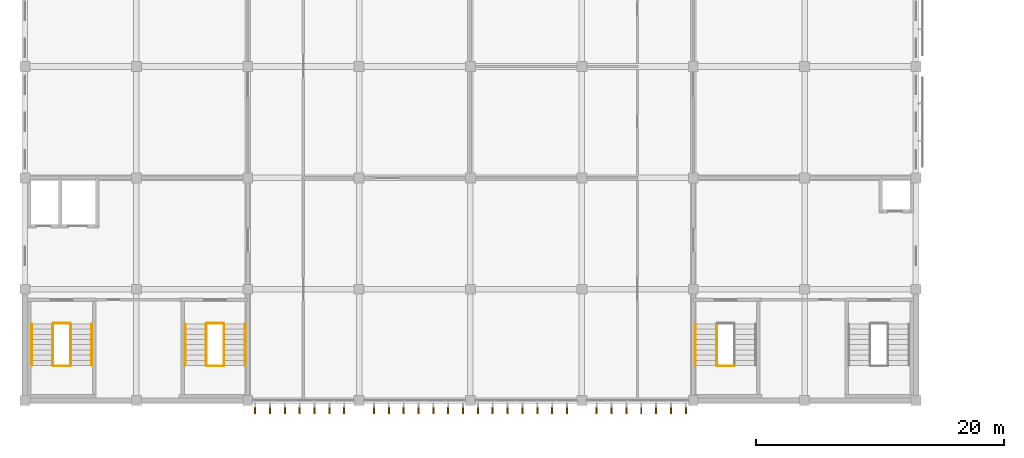
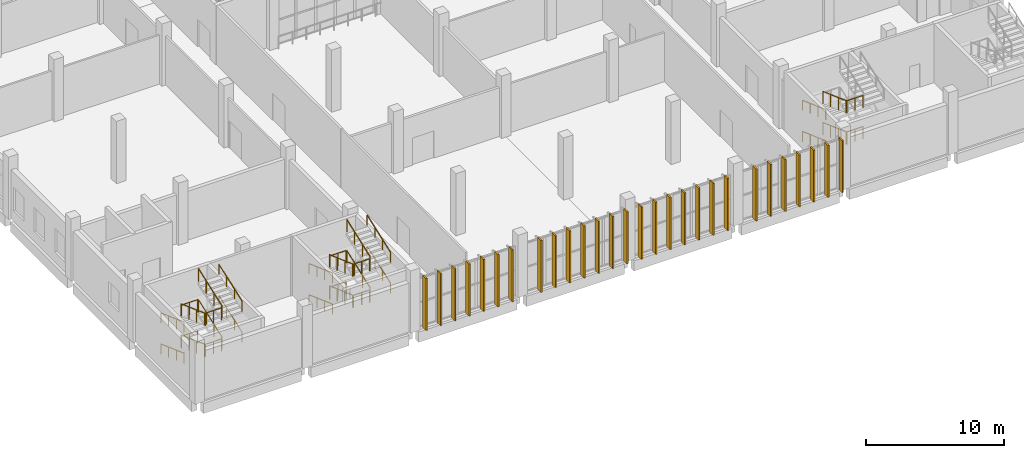
# One storey, part 164 of 185: 30 railings, 28 coverings.
"""IFC4 building model written with IfcOpenShell, lengths in metres."""

from ifc_helpers import new_model, si_unit, direction, frame, origin, origin_2d, place, context, subcontext, project, spatial, rectangle, circle, extrude, material, layer, layer_set, constituent, constituent_set, type_object, element, save


model = new_model("IFC4")

# Units and contexts
model_context = context("Model", 3, precision=1e-05, world=origin(), true_north=direction((0.0, 1.0)))
body_context = subcontext(model_context, "Body", "Model", "MODEL_VIEW")
ifc_project = project(units=[si_unit("LENGTHUNIT", "METRE"), si_unit("AREAUNIT", "SQUARE_METRE"), si_unit("VOLUMEUNIT", "CUBIC_METRE"), si_unit("PLANEANGLEUNIT", "RADIAN"), si_unit("MASSUNIT", "GRAM", prefix="KILO")], contexts=[model_context])

# Site, building, storey
site_placement = place(None, origin())
site = spatial("IfcSite", under=ifc_project, at=site_placement, CompositionType="ELEMENT")
building_placement = place(site_placement, origin())
building = spatial("IfcBuilding", under=site, at=building_placement, Name="Opaline Strait Convention Centre", CompositionType="ELEMENT")
storey_placement = place(building_placement, frame((0.0, 0.0, 6.0)))
storey = spatial("IfcBuildingStorey", under=building, at=storey_placement, Name="L01", CompositionType="ELEMENT", Elevation=6.0)

# Railings
ifc_material_1 = material(Name="Steel Q235B", Category="steel")
ifc_constituent_1 = constituent(ifc_material_1, Name="Frame")
ifc_material_2 = material(Name="Safety glass, bonded interlayer", Category="glass")
ifc_constituent_2 = constituent(ifc_material_2, Name="Infill")
ifc_constituent_set = constituent_set(constituents=[ifc_constituent_1, ifc_constituent_2], Name="Steel Q235B, Safety glass, bonded interlayer")
railing_type_1 = type_object("IfcRailingType", Name="Stair guard 1100 Q235B and glass", PredefinedType="GUARDRAIL", material=ifc_constituent_set)
railing_1_placement = place(storey_placement, frame((11.25, 15.199951171875, 0.15283203125)))
element("IfcRailing", 1, at=railing_1_placement, inside=storey, type_object=railing_type_1, Name="L01 SWA stair guard 1", PredefinedType="GUARDRAIL", context=body_context, shape_type="SweptSolid", body=[
    extrude(circle(Radius=0.02392578125, at=origin_2d()), frame((0.0, 0.0, 1.076171875), z_axis=(0.0, -0.93975753056, 0.341841752506), x_axis=(1.0, 0.0, 0.0)), (0.0, 0.0, 1.0), 3.5751953125),
    extrude(circle(Radius=0.02099609375, at=origin_2d()), origin(), (0.0, 0.0, 1.0), 1.052001953125),
    extrude(circle(Radius=0.02099609375, at=origin_2d()), frame((0.0, -1.119873046875, 0.407470703125)), (0.0, 0.0, 1.0), 1.052001953125),
    extrude(circle(Radius=0.02099609375, at=origin_2d()), frame((0.0, -2.239990234375, 0.814697265625)), (0.0, 0.0, 1.0), 1.052001953125),
    extrude(circle(Radius=0.02099609375, at=origin_2d()), frame((0.0, -3.35986328125, 1.22216796875)), (0.0, 0.0, 1.0), 1.052001953125),
])
railing_2_placement = place(storey_placement, frame((11.300048828125, 11.7900390625, 1.375)))
element("IfcRailing", 2, at=railing_2_placement, inside=storey, type_object=railing_type_1, Name="L01 SWA stair guard 2", PredefinedType="GUARDRAIL", context=body_context, shape_type="SweptSolid", body=[
    extrude(circle(Radius=0.02392578125, at=origin_2d()), frame((0.0, 0.0, 1.076171875), z_axis=(1.0, 0.0, 0.0), x_axis=(0.0, 1.0, 0.0)), (0.0, 0.0, 1.0), 1.349853515625),
    extrude(circle(Radius=0.02099609375, at=origin_2d()), origin(), (0.0, 0.0, 1.0), 1.052001953125),
    extrude(circle(Radius=0.02099609375, at=origin_2d()), frame((0.6748046875, 0.0, 0.0)), (0.0, 0.0, 1.0), 1.052001953125),
    extrude(circle(Radius=0.02099609375, at=origin_2d()), frame((1.349853515625, 0.0, 0.0)), (0.0, 0.0, 1.0), 1.052001953125),
])
railing_3_placement = place(storey_placement, frame((12.699951171875, 11.840087890625, 1.52783203125)))
element("IfcRailing", 3, at=railing_3_placement, inside=storey, type_object=railing_type_1, Name="L01 SWA stair guard 3", PredefinedType="GUARDRAIL", context=body_context, shape_type="SweptSolid", body=[
    extrude(circle(Radius=0.02392578125, at=origin_2d()), frame((0.0, 0.0, 1.076171875), z_axis=(0.0, 0.93975753056, 0.341841752506), x_axis=(-1.0, 0.0, 0.0)), (0.0, 0.0, 1.0), 3.5751953125),
    extrude(circle(Radius=0.02099609375, at=origin_2d()), origin(), (0.0, 0.0, 1.0), 1.052001953125),
    extrude(circle(Radius=0.02099609375, at=origin_2d()), frame((0.0, 1.119873046875, 0.407470703125)), (0.0, 0.0, 1.0), 1.052001953125),
    extrude(circle(Radius=0.02099609375, at=origin_2d()), frame((0.0, 2.239990234375, 0.814697265625)), (0.0, 0.0, 1.0), 1.052001953125),
    extrude(circle(Radius=0.02099609375, at=origin_2d()), frame((0.0, 3.35986328125, 1.22216796875)), (0.0, 0.0, 1.0), 1.052001953125),
])
railing_4_placement = place(storey_placement, frame((11.300048828125, 15.25, 2.75)))
element("IfcRailing", 4, at=railing_4_placement, inside=storey, type_object=railing_type_1, Name="L01 SWA stair guard 4", PredefinedType="GUARDRAIL", context=body_context, shape_type="SweptSolid", body=[
    extrude(circle(Radius=0.02392578125, at=origin_2d()), frame((0.0, 0.0, 1.076171875), z_axis=(1.0, 0.0, 0.0), x_axis=(0.0, 1.0, 0.0)), (0.0, 0.0, 1.0), 1.349853515625),
    extrude(circle(Radius=0.02099609375, at=origin_2d()), origin(), (0.0, 0.0, 1.0), 1.052001953125),
    extrude(circle(Radius=0.02099609375, at=origin_2d()), frame((0.6748046875, 0.0, 0.0)), (0.0, 0.0, 1.0), 1.052001953125),
    extrude(circle(Radius=0.02099609375, at=origin_2d()), frame((1.349853515625, 0.0, 0.0)), (0.0, 0.0, 1.0), 1.052001953125),
])
railing_5_placement = place(storey_placement, frame((11.25, 15.199951171875, 2.90283203125)))
element("IfcRailing", 5, at=railing_5_placement, inside=storey, type_object=railing_type_1, Name="L01 SWA stair guard 5", PredefinedType="GUARDRAIL", context=body_context, shape_type="SweptSolid", body=[
    extrude(circle(Radius=0.02392578125, at=origin_2d()), frame((0.0, 0.0, 1.076171875), z_axis=(0.0, -0.93975753056, 0.341841752506), x_axis=(1.0, 0.0, 0.0)), (0.0, 0.0, 1.0), 3.5751953125),
    extrude(circle(Radius=0.02099609375, at=origin_2d()), origin(), (0.0, 0.0, 1.0), 1.052001953125),
    extrude(circle(Radius=0.02099609375, at=origin_2d()), frame((0.0, -1.119873046875, 0.407470703125)), (0.0, 0.0, 1.0), 1.052001953125),
    extrude(circle(Radius=0.02099609375, at=origin_2d()), frame((0.0, -2.239990234375, 0.814697265625)), (0.0, 0.0, 1.0), 1.052001953125),
    extrude(circle(Radius=0.02099609375, at=origin_2d()), frame((0.0, -3.35986328125, 1.22216796875)), (0.0, 0.0, 1.0), 1.052001953125),
])
railing_6_placement = place(storey_placement, frame((11.300048828125, 11.7900390625, 4.125)))
element("IfcRailing", 6, at=railing_6_placement, inside=storey, type_object=railing_type_1, Name="L01 SWA stair guard 6", PredefinedType="GUARDRAIL", context=body_context, shape_type="SweptSolid", body=[
    extrude(circle(Radius=0.02392578125, at=origin_2d()), frame((0.0, 0.0, 1.076171875), z_axis=(1.0, 0.0, 0.0), x_axis=(0.0, 1.0, 0.0)), (0.0, 0.0, 1.0), 1.349853515625),
    extrude(circle(Radius=0.02099609375, at=origin_2d()), origin(), (0.0, 0.0, 1.0), 1.052001953125),
    extrude(circle(Radius=0.02099609375, at=origin_2d()), frame((0.6748046875, 0.0, 0.0)), (0.0, 0.0, 1.0), 1.052001953125),
    extrude(circle(Radius=0.02099609375, at=origin_2d()), frame((1.349853515625, 0.0, 0.0)), (0.0, 0.0, 1.0), 1.052001953125),
])
railing_7_placement = place(storey_placement, frame((12.699951171875, 11.840087890625, 4.27783203125)))
element("IfcRailing", 7, at=railing_7_placement, inside=storey, type_object=railing_type_1, Name="L01 SWA stair guard 7", PredefinedType="GUARDRAIL", context=body_context, shape_type="SweptSolid", body=[
    extrude(circle(Radius=0.02392578125, at=origin_2d()), frame((0.0, 0.0, 1.076171875), z_axis=(0.0, 0.93975753056, 0.341841752506), x_axis=(-1.0, 0.0, 0.0)), (0.0, 0.0, 1.0), 3.5751953125),
    extrude(circle(Radius=0.02099609375, at=origin_2d()), origin(), (0.0, 0.0, 1.0), 1.052001953125),
    extrude(circle(Radius=0.02099609375, at=origin_2d()), frame((0.0, 1.119873046875, 0.407470703125)), (0.0, 0.0, 1.0), 1.052001953125),
    extrude(circle(Radius=0.02099609375, at=origin_2d()), frame((0.0, 2.239990234375, 0.814697265625)), (0.0, 0.0, 1.0), 1.052001953125),
    extrude(circle(Radius=0.02099609375, at=origin_2d()), frame((0.0, 3.35986328125, 1.22216796875)), (0.0, 0.0, 1.0), 1.052001953125),
])
railing_8_placement = place(storey_placement, frame((11.300048828125, 15.25, 0.0)))
element("IfcRailing", 8, at=railing_8_placement, inside=storey, type_object=railing_type_1, Name="L01 SWA stair guard 8", PredefinedType="GUARDRAIL", context=body_context, shape_type="SweptSolid", body=[
    extrude(circle(Radius=0.02392578125, at=origin_2d()), frame((0.0, 0.0, 1.076171875), z_axis=(1.0, 0.0, 0.0), x_axis=(0.0, 1.0, 0.0)), (0.0, 0.0, 1.0), 1.349853515625),
    extrude(circle(Radius=0.02099609375, at=origin_2d()), origin(), (0.0, 0.0, 1.0), 1.052001953125),
    extrude(circle(Radius=0.02099609375, at=origin_2d()), frame((0.6748046875, 0.0, 0.0)), (0.0, 0.0, 1.0), 1.052001953125),
    extrude(circle(Radius=0.02099609375, at=origin_2d()), frame((1.349853515625, 0.0, 0.0)), (0.0, 0.0, 1.0), 1.052001953125),
])
railing_9_placement = place(storey_placement, frame((23.64990234375, 15.199951171875, 0.15283203125)))
element("IfcRailing", 9, at=railing_9_placement, inside=storey, type_object=railing_type_1, Name="L01 SWB stair guard 1", PredefinedType="GUARDRAIL", context=body_context, shape_type="SweptSolid", body=[
    extrude(circle(Radius=0.02392578125, at=origin_2d()), frame((0.0, 0.0, 1.076171875), z_axis=(0.0, -0.93975753056, 0.341841752506), x_axis=(1.0, 0.0, 0.0)), (0.0, 0.0, 1.0), 3.5751953125),
    extrude(circle(Radius=0.02099609375, at=origin_2d()), origin(), (0.0, 0.0, 1.0), 1.052001953125),
    extrude(circle(Radius=0.02099609375, at=origin_2d()), frame((0.0, -1.119873046875, 0.407470703125)), (0.0, 0.0, 1.0), 1.052001953125),
    extrude(circle(Radius=0.02099609375, at=origin_2d()), frame((0.0, -2.239990234375, 0.814697265625)), (0.0, 0.0, 1.0), 1.052001953125),
    extrude(circle(Radius=0.02099609375, at=origin_2d()), frame((0.0, -3.35986328125, 1.22216796875)), (0.0, 0.0, 1.0), 1.052001953125),
])
railing_10_placement = place(storey_placement, frame((23.699951171875, 11.7900390625, 1.375)))
element("IfcRailing", 10, at=railing_10_placement, inside=storey, type_object=railing_type_1, Name="L01 SWB stair guard 2", PredefinedType="GUARDRAIL", context=body_context, shape_type="SweptSolid", body=[
    extrude(circle(Radius=0.02392578125, at=origin_2d()), frame((0.0, 0.0, 1.076171875), z_axis=(1.0, 0.0, 0.0), x_axis=(0.0, 1.0, 0.0)), (0.0, 0.0, 1.0), 1.35009765625),
    extrude(circle(Radius=0.02099609375, at=origin_2d()), origin(), (0.0, 0.0, 1.0), 1.052001953125),
    extrude(circle(Radius=0.02099609375, at=origin_2d()), frame((0.675048828125, 0.0, 0.0)), (0.0, 0.0, 1.0), 1.052001953125),
    extrude(circle(Radius=0.02099609375, at=origin_2d()), frame((1.35009765625, 0.0, 0.0)), (0.0, 0.0, 1.0), 1.052001953125),
])
railing_11_placement = place(storey_placement, frame((25.10009765625, 11.840087890625, 1.52783203125)))
element("IfcRailing", 11, at=railing_11_placement, inside=storey, type_object=railing_type_1, Name="L01 SWB stair guard 3", PredefinedType="GUARDRAIL", context=body_context, shape_type="SweptSolid", body=[
    extrude(circle(Radius=0.02392578125, at=origin_2d()), frame((0.0, 0.0, 1.076171875), z_axis=(0.0, 0.93975753056, 0.341841752506), x_axis=(-1.0, 0.0, 0.0)), (0.0, 0.0, 1.0), 3.5751953125),
    extrude(circle(Radius=0.02099609375, at=origin_2d()), origin(), (0.0, 0.0, 1.0), 1.052001953125),
    extrude(circle(Radius=0.02099609375, at=origin_2d()), frame((0.0, 1.119873046875, 0.407470703125)), (0.0, 0.0, 1.0), 1.052001953125),
    extrude(circle(Radius=0.02099609375, at=origin_2d()), frame((0.0, 2.239990234375, 0.814697265625)), (0.0, 0.0, 1.0), 1.052001953125),
    extrude(circle(Radius=0.02099609375, at=origin_2d()), frame((0.0, 3.35986328125, 1.22216796875)), (0.0, 0.0, 1.0), 1.052001953125),
])
railing_12_placement = place(storey_placement, frame((23.699951171875, 15.25, 2.75)))
element("IfcRailing", 12, at=railing_12_placement, inside=storey, type_object=railing_type_1, Name="L01 SWB stair guard 4", PredefinedType="GUARDRAIL", context=body_context, shape_type="SweptSolid", body=[
    extrude(circle(Radius=0.02392578125, at=origin_2d()), frame((0.0, 0.0, 1.076171875), z_axis=(1.0, 0.0, 0.0), x_axis=(0.0, 1.0, 0.0)), (0.0, 0.0, 1.0), 1.35009765625),
    extrude(circle(Radius=0.02099609375, at=origin_2d()), origin(), (0.0, 0.0, 1.0), 1.052001953125),
    extrude(circle(Radius=0.02099609375, at=origin_2d()), frame((0.675048828125, 0.0, 0.0)), (0.0, 0.0, 1.0), 1.052001953125),
    extrude(circle(Radius=0.02099609375, at=origin_2d()), frame((1.35009765625, 0.0, 0.0)), (0.0, 0.0, 1.0), 1.052001953125),
])
railing_13_placement = place(storey_placement, frame((23.64990234375, 15.199951171875, 2.90283203125)))
element("IfcRailing", 13, at=railing_13_placement, inside=storey, type_object=railing_type_1, Name="L01 SWB stair guard 5", PredefinedType="GUARDRAIL", context=body_context, shape_type="SweptSolid", body=[
    extrude(circle(Radius=0.02392578125, at=origin_2d()), frame((0.0, 0.0, 1.076171875), z_axis=(0.0, -0.93975753056, 0.341841752506), x_axis=(1.0, 0.0, 0.0)), (0.0, 0.0, 1.0), 3.5751953125),
    extrude(circle(Radius=0.02099609375, at=origin_2d()), origin(), (0.0, 0.0, 1.0), 1.052001953125),
    extrude(circle(Radius=0.02099609375, at=origin_2d()), frame((0.0, -1.119873046875, 0.407470703125)), (0.0, 0.0, 1.0), 1.052001953125),
    extrude(circle(Radius=0.02099609375, at=origin_2d()), frame((0.0, -2.239990234375, 0.814697265625)), (0.0, 0.0, 1.0), 1.052001953125),
    extrude(circle(Radius=0.02099609375, at=origin_2d()), frame((0.0, -3.35986328125, 1.22216796875)), (0.0, 0.0, 1.0), 1.052001953125),
])
railing_14_placement = place(storey_placement, frame((23.699951171875, 11.7900390625, 4.125)))
element("IfcRailing", 14, at=railing_14_placement, inside=storey, type_object=railing_type_1, Name="L01 SWB stair guard 6", PredefinedType="GUARDRAIL", context=body_context, shape_type="SweptSolid", body=[
    extrude(circle(Radius=0.02392578125, at=origin_2d()), frame((0.0, 0.0, 1.076171875), z_axis=(1.0, 0.0, 0.0), x_axis=(0.0, 1.0, 0.0)), (0.0, 0.0, 1.0), 1.35009765625),
    extrude(circle(Radius=0.02099609375, at=origin_2d()), origin(), (0.0, 0.0, 1.0), 1.052001953125),
    extrude(circle(Radius=0.02099609375, at=origin_2d()), frame((0.675048828125, 0.0, 0.0)), (0.0, 0.0, 1.0), 1.052001953125),
    extrude(circle(Radius=0.02099609375, at=origin_2d()), frame((1.35009765625, 0.0, 0.0)), (0.0, 0.0, 1.0), 1.052001953125),
])
railing_15_placement = place(storey_placement, frame((25.10009765625, 11.840087890625, 4.27783203125)))
element("IfcRailing", 15, at=railing_15_placement, inside=storey, type_object=railing_type_1, Name="L01 SWB stair guard 7", PredefinedType="GUARDRAIL", context=body_context, shape_type="SweptSolid", body=[
    extrude(circle(Radius=0.02392578125, at=origin_2d()), frame((0.0, 0.0, 1.076171875), z_axis=(0.0, 0.93975753056, 0.341841752506), x_axis=(-1.0, 0.0, 0.0)), (0.0, 0.0, 1.0), 3.5751953125),
    extrude(circle(Radius=0.02099609375, at=origin_2d()), origin(), (0.0, 0.0, 1.0), 1.052001953125),
    extrude(circle(Radius=0.02099609375, at=origin_2d()), frame((0.0, 1.119873046875, 0.407470703125)), (0.0, 0.0, 1.0), 1.052001953125),
    extrude(circle(Radius=0.02099609375, at=origin_2d()), frame((0.0, 2.239990234375, 0.814697265625)), (0.0, 0.0, 1.0), 1.052001953125),
    extrude(circle(Radius=0.02099609375, at=origin_2d()), frame((0.0, 3.35986328125, 1.22216796875)), (0.0, 0.0, 1.0), 1.052001953125),
])
railing_16_placement = place(storey_placement, frame((23.699951171875, 15.25, 0.0)))
element("IfcRailing", 16, at=railing_16_placement, inside=storey, type_object=railing_type_1, Name="L01 SWB stair guard 8", PredefinedType="GUARDRAIL", context=body_context, shape_type="SweptSolid", body=[
    extrude(circle(Radius=0.02392578125, at=origin_2d()), frame((0.0, 0.0, 1.076171875), z_axis=(1.0, 0.0, 0.0), x_axis=(0.0, 1.0, 0.0)), (0.0, 0.0, 1.0), 1.35009765625),
    extrude(circle(Radius=0.02099609375, at=origin_2d()), origin(), (0.0, 0.0, 1.0), 1.052001953125),
    extrude(circle(Radius=0.02099609375, at=origin_2d()), frame((0.675048828125, 0.0, 0.0)), (0.0, 0.0, 1.0), 1.052001953125),
    extrude(circle(Radius=0.02099609375, at=origin_2d()), frame((1.35009765625, 0.0, 0.0)), (0.0, 0.0, 1.0), 1.052001953125),
])
railing_17_placement = place(storey_placement, frame((64.89990234375, 15.199951171875, 0.15283203125)))
element("IfcRailing", 17, at=railing_17_placement, inside=storey, type_object=railing_type_1, Name="L01 SEB stair guard 1", PredefinedType="GUARDRAIL", context=body_context, shape_type="SweptSolid", body=[
    extrude(circle(Radius=0.02392578125, at=origin_2d()), frame((0.0, 0.0, 1.076171875), z_axis=(0.0, -0.93975753056, 0.341841752506), x_axis=(1.0, 0.0, 0.0)), (0.0, 0.0, 1.0), 3.5751953125),
    extrude(circle(Radius=0.02099609375, at=origin_2d()), origin(), (0.0, 0.0, 1.0), 1.052001953125),
    extrude(circle(Radius=0.02099609375, at=origin_2d()), frame((0.0, -1.119873046875, 0.407470703125)), (0.0, 0.0, 1.0), 1.052001953125),
    extrude(circle(Radius=0.02099609375, at=origin_2d()), frame((0.0, -2.239990234375, 0.814697265625)), (0.0, 0.0, 1.0), 1.052001953125),
    extrude(circle(Radius=0.02099609375, at=origin_2d()), frame((0.0, -3.35986328125, 1.22216796875)), (0.0, 0.0, 1.0), 1.052001953125),
])
railing_18_placement = place(storey_placement, frame((64.949951171875, 11.7900390625, 1.375)))
element("IfcRailing", 18, at=railing_18_placement, inside=storey, type_object=railing_type_1, Name="L01 SEB stair guard 2", PredefinedType="GUARDRAIL", context=body_context, shape_type="SweptSolid", body=[
    extrude(circle(Radius=0.02392578125, at=origin_2d()), frame((0.0, 0.0, 1.076171875), z_axis=(1.0, 0.0, 0.0), x_axis=(0.0, 1.0, 0.0)), (0.0, 0.0, 1.0), 1.35009765625),
    extrude(circle(Radius=0.02099609375, at=origin_2d()), origin(), (0.0, 0.0, 1.0), 1.052001953125),
    extrude(circle(Radius=0.02099609375, at=origin_2d()), frame((0.675048828125, 0.0, 0.0)), (0.0, 0.0, 1.0), 1.052001953125),
    extrude(circle(Radius=0.02099609375, at=origin_2d()), frame((1.35009765625, 0.0, 0.0)), (0.0, 0.0, 1.0), 1.052001953125),
])
railing_19_placement = place(storey_placement, frame((64.89990234375, 15.199951171875, 2.90283203125)))
element("IfcRailing", 19, at=railing_19_placement, inside=storey, type_object=railing_type_1, Name="L01 SEB stair guard 5", PredefinedType="GUARDRAIL", context=body_context, shape_type="SweptSolid", body=[
    extrude(circle(Radius=0.02392578125, at=origin_2d()), frame((0.0, 0.0, 1.076171875), z_axis=(0.0, -0.93975753056, 0.341841752506), x_axis=(1.0, 0.0, 0.0)), (0.0, 0.0, 1.0), 3.5751953125),
    extrude(circle(Radius=0.02099609375, at=origin_2d()), origin(), (0.0, 0.0, 1.0), 1.052001953125),
    extrude(circle(Radius=0.02099609375, at=origin_2d()), frame((0.0, -1.119873046875, 0.407470703125)), (0.0, 0.0, 1.0), 1.052001953125),
    extrude(circle(Radius=0.02099609375, at=origin_2d()), frame((0.0, -2.239990234375, 0.814697265625)), (0.0, 0.0, 1.0), 1.052001953125),
    extrude(circle(Radius=0.02099609375, at=origin_2d()), frame((0.0, -3.35986328125, 1.22216796875)), (0.0, 0.0, 1.0), 1.052001953125),
])
railing_20_placement = place(storey_placement, frame((64.949951171875, 11.7900390625, 4.125)))
element("IfcRailing", 20, at=railing_20_placement, inside=storey, type_object=railing_type_1, Name="L01 SEB stair guard 6", PredefinedType="GUARDRAIL", context=body_context, shape_type="SweptSolid", body=[
    extrude(circle(Radius=0.02392578125, at=origin_2d()), frame((0.0, 0.0, 1.076171875), z_axis=(1.0, 0.0, 0.0), x_axis=(0.0, 1.0, 0.0)), (0.0, 0.0, 1.0), 1.35009765625),
    extrude(circle(Radius=0.02099609375, at=origin_2d()), origin(), (0.0, 0.0, 1.0), 1.052001953125),
    extrude(circle(Radius=0.02099609375, at=origin_2d()), frame((0.675048828125, 0.0, 0.0)), (0.0, 0.0, 1.0), 1.052001953125),
    extrude(circle(Radius=0.02099609375, at=origin_2d()), frame((1.35009765625, 0.0, 0.0)), (0.0, 0.0, 1.0), 1.052001953125),
])
ifc_material_3 = material(Name="Stainless steel 304", Category="steel")
railing_type_2 = type_object("IfcRailingType", Name="Stair handrail 900 stainless 304", PredefinedType="HANDRAIL", material=ifc_material_3)
railing_21_placement = place(storey_placement, frame((9.550048828125, 15.199951171875, 0.15283203125)))
element("IfcRailing", 21, at=railing_21_placement, inside=storey, type_object=railing_type_2, Name="L01 SWA stair handrail 1", PredefinedType="HANDRAIL", context=body_context, shape_type="SweptSolid", body=[
    extrude(circle(Radius=0.02392578125, at=origin_2d()), frame((0.0, 0.0, 0.8759765625), z_axis=(0.0, -0.93975753056, 0.341841752506), x_axis=(1.0, 0.0, 0.0)), (0.0, 0.0, 1.0), 3.5751953125),
    extrude(circle(Radius=0.02099609375, at=origin_2d()), origin(), (0.0, 0.0, 1.0), 0.851806640625),
    extrude(circle(Radius=0.02099609375, at=origin_2d()), frame((0.0, -1.119873046875, 0.407470703125)), (0.0, 0.0, 1.0), 0.851806640625),
    extrude(circle(Radius=0.02099609375, at=origin_2d()), frame((0.0, -2.239990234375, 0.814697265625)), (0.0, 0.0, 1.0), 0.851806640625),
    extrude(circle(Radius=0.02099609375, at=origin_2d()), frame((0.0, -3.35986328125, 1.22216796875)), (0.0, 0.0, 1.0), 0.851806640625),
])
railing_22_placement = place(storey_placement, frame((14.39990234375, 11.840087890625, 1.52783203125)))
element("IfcRailing", 22, at=railing_22_placement, inside=storey, type_object=railing_type_2, Name="L01 SWA stair handrail 2", PredefinedType="HANDRAIL", context=body_context, shape_type="SweptSolid", body=[
    extrude(circle(Radius=0.02392578125, at=origin_2d()), frame((0.0, 0.0, 0.8759765625), z_axis=(0.0, 0.93975753056, 0.341841752506), x_axis=(-1.0, 0.0, 0.0)), (0.0, 0.0, 1.0), 3.5751953125),
    extrude(circle(Radius=0.02099609375, at=origin_2d()), origin(), (0.0, 0.0, 1.0), 0.851806640625),
    extrude(circle(Radius=0.02099609375, at=origin_2d()), frame((0.0, 1.119873046875, 0.407470703125)), (0.0, 0.0, 1.0), 0.851806640625),
    extrude(circle(Radius=0.02099609375, at=origin_2d()), frame((0.0, 2.239990234375, 0.814697265625)), (0.0, 0.0, 1.0), 0.851806640625),
    extrude(circle(Radius=0.02099609375, at=origin_2d()), frame((0.0, 3.35986328125, 1.22216796875)), (0.0, 0.0, 1.0), 0.851806640625),
])
railing_23_placement = place(storey_placement, frame((9.550048828125, 15.199951171875, 2.90283203125)))
element("IfcRailing", 23, at=railing_23_placement, inside=storey, type_object=railing_type_2, Name="L01 SWA stair handrail 3", PredefinedType="HANDRAIL", context=body_context, shape_type="SweptSolid", body=[
    extrude(circle(Radius=0.02392578125, at=origin_2d()), frame((0.0, 0.0, 0.8759765625), z_axis=(0.0, -0.93975753056, 0.341841752506), x_axis=(1.0, 0.0, 0.0)), (0.0, 0.0, 1.0), 3.5751953125),
    extrude(circle(Radius=0.02099609375, at=origin_2d()), origin(), (0.0, 0.0, 1.0), 0.851806640625),
    extrude(circle(Radius=0.02099609375, at=origin_2d()), frame((0.0, -1.119873046875, 0.407470703125)), (0.0, 0.0, 1.0), 0.851806640625),
    extrude(circle(Radius=0.02099609375, at=origin_2d()), frame((0.0, -2.239990234375, 0.814697265625)), (0.0, 0.0, 1.0), 0.851806640625),
    extrude(circle(Radius=0.02099609375, at=origin_2d()), frame((0.0, -3.35986328125, 1.22216796875)), (0.0, 0.0, 1.0), 0.851806640625),
])
railing_24_placement = place(storey_placement, frame((14.39990234375, 11.840087890625, 4.27783203125)))
element("IfcRailing", 24, at=railing_24_placement, inside=storey, type_object=railing_type_2, Name="L01 SWA stair handrail 4", PredefinedType="HANDRAIL", context=body_context, shape_type="SweptSolid", body=[
    extrude(circle(Radius=0.02392578125, at=origin_2d()), frame((0.0, 0.0, 0.8759765625), z_axis=(0.0, 0.93975753056, 0.341841752506), x_axis=(-1.0, 0.0, 0.0)), (0.0, 0.0, 1.0), 3.5751953125),
    extrude(circle(Radius=0.02099609375, at=origin_2d()), origin(), (0.0, 0.0, 1.0), 0.851806640625),
    extrude(circle(Radius=0.02099609375, at=origin_2d()), frame((0.0, 1.119873046875, 0.407470703125)), (0.0, 0.0, 1.0), 0.851806640625),
    extrude(circle(Radius=0.02099609375, at=origin_2d()), frame((0.0, 2.239990234375, 0.814697265625)), (0.0, 0.0, 1.0), 0.851806640625),
    extrude(circle(Radius=0.02099609375, at=origin_2d()), frame((0.0, 3.35986328125, 1.22216796875)), (0.0, 0.0, 1.0), 0.851806640625),
])
railing_25_placement = place(storey_placement, frame((21.949951171875, 15.199951171875, 0.15283203125)))
element("IfcRailing", 25, at=railing_25_placement, inside=storey, type_object=railing_type_2, Name="L01 SWB stair handrail 1", PredefinedType="HANDRAIL", context=body_context, shape_type="SweptSolid", body=[
    extrude(circle(Radius=0.02392578125, at=origin_2d()), frame((0.0, 0.0, 0.8759765625), z_axis=(0.0, -0.93975753056, 0.341841752506), x_axis=(1.0, 0.0, 0.0)), (0.0, 0.0, 1.0), 3.5751953125),
    extrude(circle(Radius=0.02099609375, at=origin_2d()), origin(), (0.0, 0.0, 1.0), 0.851806640625),
    extrude(circle(Radius=0.02099609375, at=origin_2d()), frame((0.0, -1.119873046875, 0.407470703125)), (0.0, 0.0, 1.0), 0.851806640625),
    extrude(circle(Radius=0.02099609375, at=origin_2d()), frame((0.0, -2.239990234375, 0.814697265625)), (0.0, 0.0, 1.0), 0.851806640625),
    extrude(circle(Radius=0.02099609375, at=origin_2d()), frame((0.0, -3.35986328125, 1.22216796875)), (0.0, 0.0, 1.0), 0.851806640625),
])
railing_26_placement = place(storey_placement, frame((26.800048828125, 11.840087890625, 1.52783203125)))
element("IfcRailing", 26, at=railing_26_placement, inside=storey, type_object=railing_type_2, Name="L01 SWB stair handrail 2", PredefinedType="HANDRAIL", context=body_context, shape_type="SweptSolid", body=[
    extrude(circle(Radius=0.02392578125, at=origin_2d()), frame((0.0, 0.0, 0.8759765625), z_axis=(0.0, 0.93975753056, 0.341841752506), x_axis=(-1.0, 0.0, 0.0)), (0.0, 0.0, 1.0), 3.5751953125),
    extrude(circle(Radius=0.02099609375, at=origin_2d()), origin(), (0.0, 0.0, 1.0), 0.851806640625),
    extrude(circle(Radius=0.02099609375, at=origin_2d()), frame((0.0, 1.119873046875, 0.407470703125)), (0.0, 0.0, 1.0), 0.851806640625),
    extrude(circle(Radius=0.02099609375, at=origin_2d()), frame((0.0, 2.239990234375, 0.814697265625)), (0.0, 0.0, 1.0), 0.851806640625),
    extrude(circle(Radius=0.02099609375, at=origin_2d()), frame((0.0, 3.35986328125, 1.22216796875)), (0.0, 0.0, 1.0), 0.851806640625),
])
railing_27_placement = place(storey_placement, frame((21.949951171875, 15.199951171875, 2.90283203125)))
element("IfcRailing", 27, at=railing_27_placement, inside=storey, type_object=railing_type_2, Name="L01 SWB stair handrail 3", PredefinedType="HANDRAIL", context=body_context, shape_type="SweptSolid", body=[
    extrude(circle(Radius=0.02392578125, at=origin_2d()), frame((0.0, 0.0, 0.8759765625), z_axis=(0.0, -0.93975753056, 0.341841752506), x_axis=(1.0, 0.0, 0.0)), (0.0, 0.0, 1.0), 3.5751953125),
    extrude(circle(Radius=0.02099609375, at=origin_2d()), origin(), (0.0, 0.0, 1.0), 0.851806640625),
    extrude(circle(Radius=0.02099609375, at=origin_2d()), frame((0.0, -1.119873046875, 0.407470703125)), (0.0, 0.0, 1.0), 0.851806640625),
    extrude(circle(Radius=0.02099609375, at=origin_2d()), frame((0.0, -2.239990234375, 0.814697265625)), (0.0, 0.0, 1.0), 0.851806640625),
    extrude(circle(Radius=0.02099609375, at=origin_2d()), frame((0.0, -3.35986328125, 1.22216796875)), (0.0, 0.0, 1.0), 0.851806640625),
])
railing_28_placement = place(storey_placement, frame((26.800048828125, 11.840087890625, 4.27783203125)))
element("IfcRailing", 28, at=railing_28_placement, inside=storey, type_object=railing_type_2, Name="L01 SWB stair handrail 4", PredefinedType="HANDRAIL", context=body_context, shape_type="SweptSolid", body=[
    extrude(circle(Radius=0.02392578125, at=origin_2d()), frame((0.0, 0.0, 0.8759765625), z_axis=(0.0, 0.93975753056, 0.341841752506), x_axis=(-1.0, 0.0, 0.0)), (0.0, 0.0, 1.0), 3.5751953125),
    extrude(circle(Radius=0.02099609375, at=origin_2d()), origin(), (0.0, 0.0, 1.0), 0.851806640625),
    extrude(circle(Radius=0.02099609375, at=origin_2d()), frame((0.0, 1.119873046875, 0.407470703125)), (0.0, 0.0, 1.0), 0.851806640625),
    extrude(circle(Radius=0.02099609375, at=origin_2d()), frame((0.0, 2.239990234375, 0.814697265625)), (0.0, 0.0, 1.0), 0.851806640625),
    extrude(circle(Radius=0.02099609375, at=origin_2d()), frame((0.0, 3.35986328125, 1.22216796875)), (0.0, 0.0, 1.0), 0.851806640625),
])
for number, where, name in (
    (29, (63.199951171875, 15.199951171875, 0.15283203125), "L01 SEB stair handrail 1"),
    (30, (63.199951171875, 15.199951171875, 2.90283203125), "L01 SEB stair handrail 3"),
):
    element("IfcRailing", number, at=place(storey_placement, frame(where)), inside=storey, type_object=railing_type_2, Name=name, PredefinedType="HANDRAIL", context=body_context, shape_type="SweptSolid", body=[
        extrude(circle(Radius=0.02392578125, at=origin_2d()), frame((0.0, 0.0, 0.8759765625), z_axis=(0.0, -0.93975753056, 0.341841752506), x_axis=(1.0, 0.0, 0.0)), (0.0, 0.0, 1.0), 3.5751953125),
        extrude(circle(Radius=0.02099609375, at=origin_2d()), origin(), (0.0, 0.0, 1.0), 0.851806640625),
        extrude(circle(Radius=0.02099609375, at=origin_2d()), frame((0.0, -1.119873046875, 0.407470703125)), (0.0, 0.0, 1.0), 0.851806640625),
        extrude(circle(Radius=0.02099609375, at=origin_2d()), frame((0.0, -2.239990234375, 0.814697265625)), (0.0, 0.0, 1.0), 0.851806640625),
        extrude(circle(Radius=0.02099609375, at=origin_2d()), frame((0.0, -3.35986328125, 1.22216796875)), (0.0, 0.0, 1.0), 0.851806640625),
    ])

# Coverings
ifc_material_4 = material(Name="Powder-coated white aluminium", Category="aluminium")
ifc_layer = layer(ifc_material_4, 0.1201171875)
ifc_layer_set = layer_set([ifc_layer], Name="Powder-coated white aluminium")
covering_type = type_object("IfcCoveringType", Name="Storm louvre fin 120x500x4600", PredefinedType="CLADDING", material=ifc_layer_set)
for number, where, z_axis, x_axis, name in (
    (31, (27.60009765625, 8.199951171875, 0.300048828125), (0.0, 0.0, 1.0), (1.0, 0.0, 0.0), "Storm louvre fin S L01"),
    (32, (28.800048828125, 8.199951171875, 0.300048828125), (0.0, 0.0, 1.0), (1.0, 0.0, 0.0), "Storm louvre fin S L01"),
    (33, (30.0, 8.199951171875, 0.300048828125), (0.0, 0.0, 1.0), (1.0, 0.0, 0.0), "Storm louvre fin S L01"),
    (34, (31.199951171875, 8.199951171875, 0.300048828125), (0.0, 0.0, 1.0), (1.0, 0.0, 0.0), "Storm louvre fin S L01"),
    (35, (32.39990234375, 8.199951171875, 0.300048828125), (0.0, 0.0, 1.0), (1.0, 0.0, 0.0), "Storm louvre fin S L01"),
    (36, (33.60009765625, 8.199951171875, 0.300048828125), (0.0, 0.0, 1.0), (1.0, 0.0, 0.0), "Storm louvre fin S L01"),
    (37, (34.800048828125, 8.199951171875, 0.300048828125), (0.0, 0.0, 1.0), (1.0, 0.0, 0.0), "Storm louvre fin S L01"),
    (38, (37.199951171875, 8.199951171875, 0.300048828125), (0.0, 0.0, 1.0), (1.0, 0.0, 0.0), "Storm louvre fin S L01"),
    (39, (38.39990234375, 8.199951171875, 0.300048828125), (0.0, 0.0, 1.0), (1.0, 0.0, 0.0), "Storm louvre fin S L01"),
    (40, (39.60009765625, 8.199951171875, 0.300048828125), (0.0, 0.0, 1.0), (1.0, 0.0, 0.0), "Storm louvre fin S L01"),
    (41, (40.800048828125, 8.199951171875, 0.300048828125), (0.0, 0.0, 1.0), (1.0, 0.0, 0.0), "Storm louvre fin S L01"),
    (42, (42.0, 8.199951171875, 0.300048828125), (0.0, 0.0, 1.0), (1.0, 0.0, 0.0), "Storm louvre fin S L01"),
    (43, (43.199951171875, 8.199951171875, 0.300048828125), (0.0, 0.0, 1.0), (1.0, 0.0, 0.0), "Storm louvre fin S L01"),
    (44, (44.39990234375, 8.199951171875, 0.300048828125), (0.0, 0.0, 1.0), (1.0, 0.0, 0.0), "Storm louvre fin S L01"),
    (45, (45.60009765625, 8.199951171875, 0.300048828125), (0.0, 0.0, 1.0), (1.0, 0.0, 0.0), "Storm louvre fin S L01"),
    (46, (46.800048828125, 8.199951171875, 0.300048828125), (0.0, 0.0, 1.0), (1.0, 0.0, 0.0), "Storm louvre fin S L01"),
    (47, (48.0, 8.199951171875, 0.300048828125), (0.0, 0.0, 1.0), (1.0, 0.0, 0.0), "Storm louvre fin S L01"),
    (48, (49.199951171875, 8.199951171875, 0.300048828125), (0.0, 0.0, 1.0), (1.0, 0.0, 0.0), "Storm louvre fin S L01"),
    (49, (50.39990234375, 8.199951171875, 0.300048828125), (0.0, 0.0, 1.0), (1.0, 0.0, 0.0), "Storm louvre fin S L01"),
    (50, (51.60009765625, 8.199951171875, 0.300048828125), (0.0, 0.0, 1.0), (1.0, 0.0, 0.0), "Storm louvre fin S L01"),
    (51, (52.800048828125, 8.199951171875, 0.300048828125), (0.0, 0.0, 1.0), (1.0, 0.0, 0.0), "Storm louvre fin S L01"),
    (52, (55.199951171875, 8.199951171875, 0.300048828125), (0.0, 0.0, 1.0), (1.0, 0.0, 0.0), "Storm louvre fin S L01"),
    (53, (56.39990234375, 8.199951171875, 0.300048828125), (0.0, 0.0, 1.0), (1.0, 0.0, 0.0), "Storm louvre fin S L01"),
    (54, (57.60009765625, 8.199951171875, 0.300048828125), (0.0, 0.0, 1.0), (1.0, 0.0, 0.0), "Storm louvre fin S L01"),
    (55, (58.800048828125, 8.199951171875, 0.300048828125), (0.0, 0.0, 1.0), (1.0, 0.0, 0.0), "Storm louvre fin S L01"),
    (56, (60.0, 8.199951171875, 0.300048828125), (0.0, 0.0, 1.0), (1.0, 0.0, 0.0), "Storm louvre fin S L01"),
    (57, (61.199951171875, 8.199951171875, 0.300048828125), (0.0, 0.0, 1.0), (1.0, 0.0, 0.0), "Storm louvre fin S L01"),
    (58, (62.39990234375, 8.199951171875, 0.300048828125), (0.0, 0.0, 1.0), (1.0, 0.0, 0.0), "Storm louvre fin S L01"),
):
    element("IfcCovering", number, at=place(storey_placement, frame(where, z_axis=z_axis, x_axis=x_axis)), inside=storey, type_object=covering_type, Name=name, PredefinedType="CLADDING", context=body_context, shape_type="SweptSolid", body=[
        extrude(rectangle(XDim=0.1201171875, YDim=0.5, at=origin_2d()), origin(), (0.0, 0.0, 1.0), 4.60009765625),
    ])

save(model, "model.ifc")
